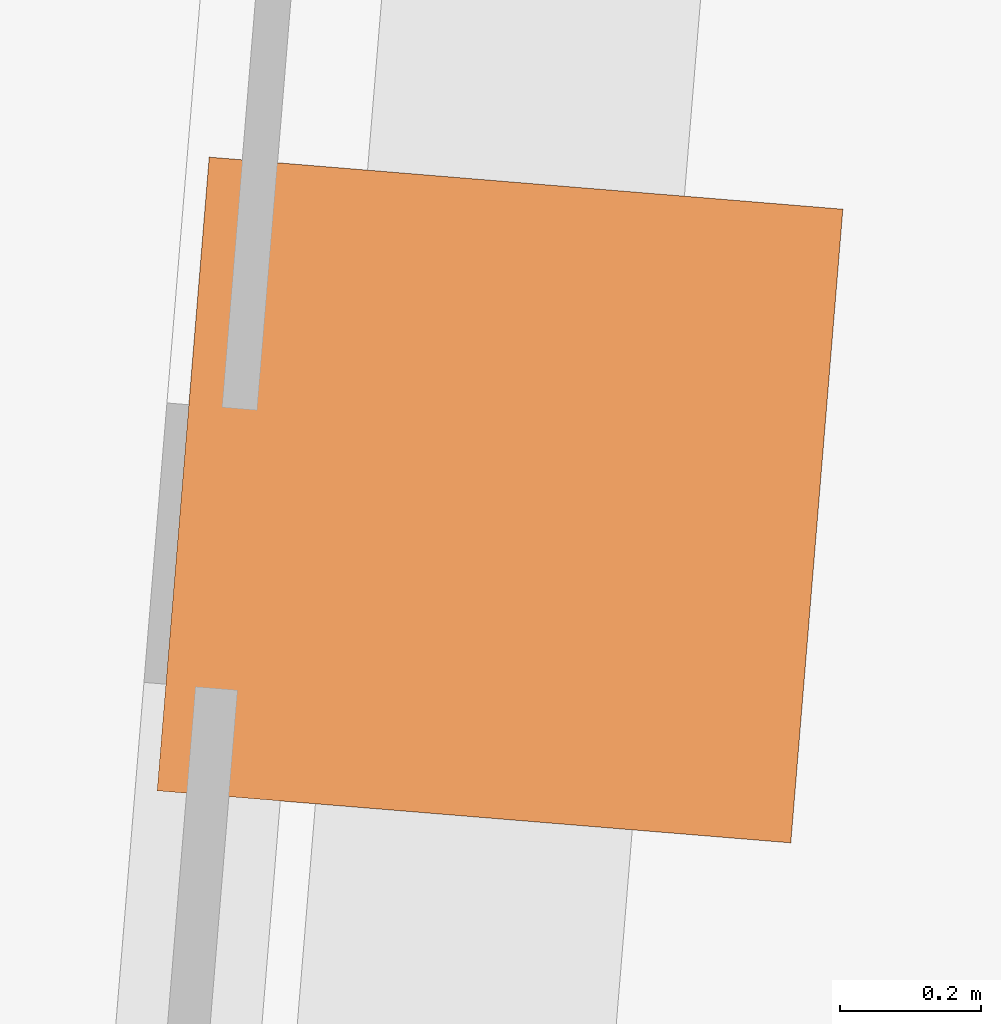
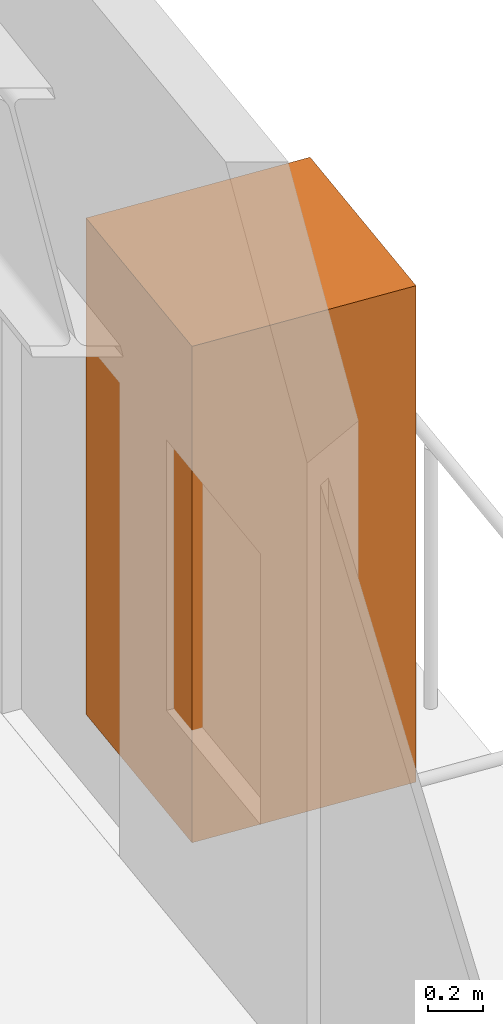
# One storey, part 9 of 9: 1 geographic element.
"""IFC4 building model written with IfcOpenShell, lengths in metres."""

from ifc_helpers import new_model, si_unit, direction, frame, origin, origin_2d, place, context, subcontext, project, spatial, rectangle, extrude, material, type_object, element, save


model = new_model("IFC4")

# Units and contexts
model_context = context("Model", 3, precision=1e-05, world=origin(), true_north=direction((0.0, 1.0)))
body_context = subcontext(model_context, "Body", "Model", "MODEL_VIEW")
ifc_project = project(units=[si_unit("LENGTHUNIT", "METRE"), si_unit("AREAUNIT", "SQUARE_METRE"), si_unit("VOLUMEUNIT", "CUBIC_METRE"), si_unit("PLANEANGLEUNIT", "RADIAN"), si_unit("MASSUNIT", "GRAM", prefix="KILO")], contexts=[model_context])

# Site, building, storey
site_placement = place(None, origin())
site = spatial("IfcSite", under=ifc_project, at=site_placement, CompositionType="ELEMENT")
building_placement = place(site_placement, origin())
building = spatial("IfcBuilding", under=site, at=building_placement, Name="Verdant Reach Tower", CompositionType="ELEMENT")
storey_placement = place(building_placement, frame((0.0, 0.0, 74.0)))
storey = spatial("IfcBuildingStorey", under=building, at=storey_placement, Name="L16", CompositionType="ELEMENT", Elevation=74.0)

# Geographic element
ifc_material = material(Name="Planting")
geographic_element_type = type_object("IfcGeographicElementType", Name="EN-TREE", PredefinedType="USERDEFINED", material=ifc_material)
geographic_element_placement = place(storey_placement, frame((24.1044921875, 42.398193359375, 0.39990234375), z_axis=(0.0, 0.0, 1.0), x_axis=(0.081915556724, 0.996639273542, 0.0)))
element("IfcGeographicElement", 1, at=geographic_element_placement, inside=storey, type_object=geographic_element_type, Name="Balcony tree, Queen palm (Syagrus romanzoffiana), L16 1", ObjectType="TREE", PredefinedType="USERDEFINED", context=body_context, shape_type="SweptSolid", body=[
    extrude(rectangle(XDim=0.89990234375, YDim=0.89990234375, at=origin_2d()), origin(), (0.0, 0.0, 1.0), 2.199951171875),
])

save(model, "model.ifc")
